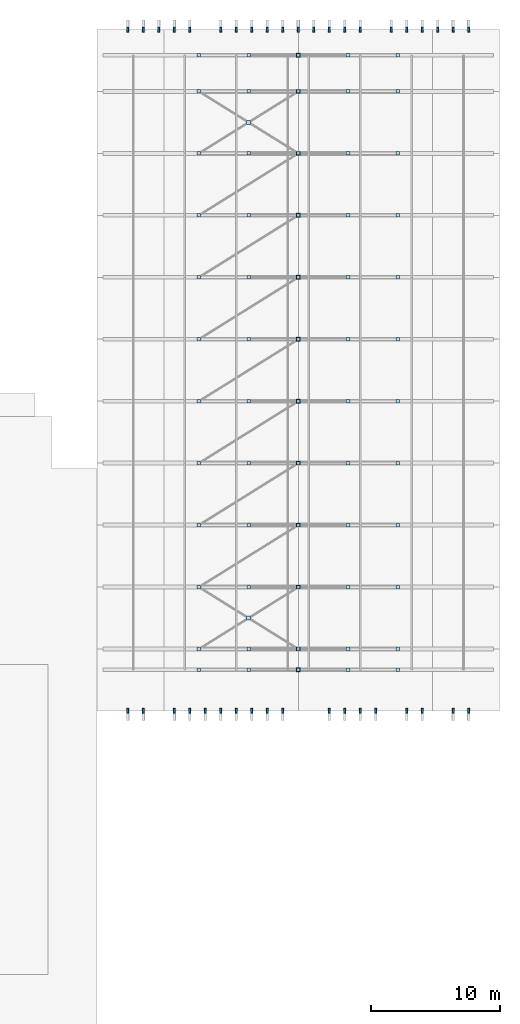
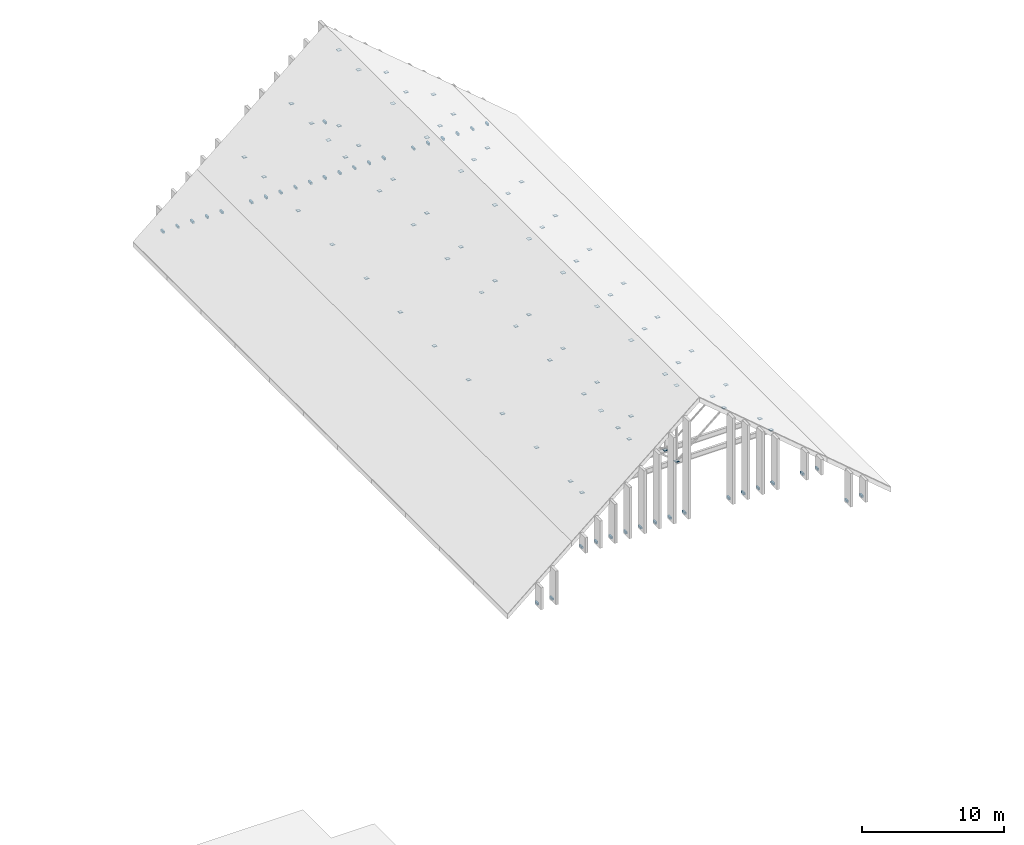
# One storey, part 57 of 60: 74 plates, 40 discrete accessories.
"""IFC4 building model written with IfcOpenShell, lengths in metres."""

from ifc_helpers import new_model, si_unit, direction, frame, origin, origin_2d, place, context, subcontext, project, spatial, rectangle, extrude, material, type_object, element, save


model = new_model("IFC4")

# Units and contexts
model_context = context("Model", 3, precision=1e-05, world=origin(), true_north=direction((0.0, 1.0)))
body_context = subcontext(model_context, "Body", "Model", "MODEL_VIEW")
ifc_project = project(units=[si_unit("LENGTHUNIT", "METRE"), si_unit("AREAUNIT", "SQUARE_METRE"), si_unit("VOLUMEUNIT", "CUBIC_METRE"), si_unit("PLANEANGLEUNIT", "RADIAN"), si_unit("MASSUNIT", "GRAM", prefix="KILO")], contexts=[model_context])

# Site, building, storey
site_placement = place(None, origin())
site = spatial("IfcSite", under=ifc_project, at=site_placement, CompositionType="ELEMENT")
building_placement = place(site_placement, origin())
building = spatial("IfcBuilding", under=site, at=building_placement, Name="Nakhvara Creek Congress Hotel", CompositionType="ELEMENT")
storey_placement = place(building_placement, frame((0.0, 0.0, 54.60009765625)))
storey = spatial("IfcBuildingStorey", under=building, at=storey_placement, Name="RL1", CompositionType="ELEMENT", Elevation=54.60009765625)

# Plates
ifc_material_1 = material(Name="Steel S355J2", Category="steel")
plate_type_1 = type_object("IfcPlateType", Name="PLT-NODE-280X280X18", PredefinedType="USERDEFINED", material=ifc_material_1)
for number, where, z_axis, x_axis, name in (
    (1, (164.39990234375, 76.39990234375, 1.5908203125), (0.0, 0.0, 1.0), (1.0, 0.0, 0.0), "Hotel Gable Truss Node Gusset Plate SN-01-CL"),
    (2, (160.55078125, 76.39990234375, 4.847900390625), (0.0, 0.0, 1.0), (1.0, 0.0, 0.0), "Hotel Gable Truss Node Gusset Plate SN-01-MW"),
    (3, (168.2490234375, 76.39990234375, 4.847900390625), (0.0, 0.0, 1.0), (1.0, 0.0, 0.0), "Hotel Gable Truss Node Gusset Plate SN-01-ME"),
    (4, (156.70166015625, 76.39990234375, 1.5908203125), (0.0, 0.0, 1.0), (1.0, 0.0, 0.0), "Hotel Gable Truss Node Gusset Plate SN-01-CW"),
    (5, (172.098388671875, 76.39990234375, 1.5908203125), (0.0, 0.0, 1.0), (1.0, 0.0, 0.0), "Hotel Gable Truss Node Gusset Plate SN-01-CE"),
    (6, (164.39990234375, 78.0, 1.5908203125), (0.0, 0.0, 1.0), (1.0, 0.0, 0.0), "Hotel Gable Truss Node Gusset Plate SN-02-CL"),
    (7, (160.55078125, 78.0, 4.847900390625), (0.0, 0.0, 1.0), (1.0, 0.0, 0.0), "Hotel Gable Truss Node Gusset Plate SN-02-MW"),
    (8, (168.2490234375, 78.0, 4.847900390625), (0.0, 0.0, 1.0), (1.0, 0.0, 0.0), "Hotel Gable Truss Node Gusset Plate SN-02-ME"),
    (9, (156.70166015625, 78.0, 1.5908203125), (0.0, 0.0, 1.0), (1.0, 0.0, 0.0), "Hotel Gable Truss Node Gusset Plate SN-02-CW"),
    (10, (172.098388671875, 78.0, 1.5908203125), (0.0, 0.0, 1.0), (1.0, 0.0, 0.0), "Hotel Gable Truss Node Gusset Plate SN-02-CE"),
    (11, (164.39990234375, 82.800048828125, 1.5908203125), (0.0, 0.0, 1.0), (1.0, 0.0, 0.0), "Hotel Gable Truss Node Gusset Plate SN-03-CL"),
    (12, (160.55078125, 82.800048828125, 4.847900390625), (0.0, 0.0, 1.0), (1.0, 0.0, 0.0), "Hotel Gable Truss Node Gusset Plate SN-03-MW"),
    (13, (168.2490234375, 82.800048828125, 4.847900390625), (0.0, 0.0, 1.0), (1.0, 0.0, 0.0), "Hotel Gable Truss Node Gusset Plate SN-03-ME"),
    (14, (156.70166015625, 82.800048828125, 1.5908203125), (0.0, 0.0, 1.0), (1.0, 0.0, 0.0), "Hotel Gable Truss Node Gusset Plate SN-03-CW"),
    (15, (172.098388671875, 82.800048828125, 1.5908203125), (0.0, 0.0, 1.0), (1.0, 0.0, 0.0), "Hotel Gable Truss Node Gusset Plate SN-03-CE"),
    (16, (164.39990234375, 87.60009765625, 1.5908203125), (0.0, 0.0, 1.0), (1.0, 0.0, 0.0), "Hotel Gable Truss Node Gusset Plate SN-04-CL"),
    (17, (160.55078125, 87.60009765625, 4.847900390625), (0.0, 0.0, 1.0), (1.0, 0.0, 0.0), "Hotel Gable Truss Node Gusset Plate SN-04-MW"),
    (18, (168.2490234375, 87.60009765625, 4.847900390625), (0.0, 0.0, 1.0), (1.0, 0.0, 0.0), "Hotel Gable Truss Node Gusset Plate SN-04-ME"),
    (19, (156.70166015625, 87.60009765625, 1.5908203125), (0.0, 0.0, 1.0), (1.0, 0.0, 0.0), "Hotel Gable Truss Node Gusset Plate SN-04-CW"),
    (20, (172.098388671875, 87.60009765625, 1.5908203125), (0.0, 0.0, 1.0), (1.0, 0.0, 0.0), "Hotel Gable Truss Node Gusset Plate SN-04-CE"),
    (21, (164.39990234375, 92.39990234375, 1.5908203125), (0.0, 0.0, 1.0), (1.0, 0.0, 0.0), "Hotel Gable Truss Node Gusset Plate SN-05-CL"),
    (22, (160.55078125, 92.39990234375, 4.847900390625), (0.0, 0.0, 1.0), (1.0, 0.0, 0.0), "Hotel Gable Truss Node Gusset Plate SN-05-MW"),
    (23, (168.2490234375, 92.39990234375, 4.847900390625), (0.0, 0.0, 1.0), (1.0, 0.0, 0.0), "Hotel Gable Truss Node Gusset Plate SN-05-ME"),
    (24, (156.70166015625, 92.39990234375, 1.5908203125), (0.0, 0.0, 1.0), (1.0, 0.0, 0.0), "Hotel Gable Truss Node Gusset Plate SN-05-CW"),
    (25, (172.098388671875, 92.39990234375, 1.5908203125), (0.0, 0.0, 1.0), (1.0, 0.0, 0.0), "Hotel Gable Truss Node Gusset Plate SN-05-CE"),
    (26, (164.39990234375, 97.199951171875, 1.5908203125), (0.0, 0.0, 1.0), (1.0, 0.0, 0.0), "Hotel Gable Truss Node Gusset Plate SN-06-CL"),
    (27, (160.55078125, 97.199951171875, 4.847900390625), (0.0, 0.0, 1.0), (1.0, 0.0, 0.0), "Hotel Gable Truss Node Gusset Plate SN-06-MW"),
    (28, (168.2490234375, 97.199951171875, 4.847900390625), (0.0, 0.0, 1.0), (1.0, 0.0, 0.0), "Hotel Gable Truss Node Gusset Plate SN-06-ME"),
    (29, (156.70166015625, 97.199951171875, 1.5908203125), (0.0, 0.0, 1.0), (1.0, 0.0, 0.0), "Hotel Gable Truss Node Gusset Plate SN-06-CW"),
    (30, (172.098388671875, 97.199951171875, 1.5908203125), (0.0, 0.0, 1.0), (1.0, 0.0, 0.0), "Hotel Gable Truss Node Gusset Plate SN-06-CE"),
    (31, (164.39990234375, 102.0, 1.5908203125), (0.0, 0.0, 1.0), (1.0, 0.0, 0.0), "Hotel Gable Truss Node Gusset Plate SN-07-CL"),
    (32, (160.55078125, 102.0, 4.847900390625), (0.0, 0.0, 1.0), (1.0, 0.0, 0.0), "Hotel Gable Truss Node Gusset Plate SN-07-MW"),
    (33, (168.2490234375, 102.0, 4.847900390625), (0.0, 0.0, 1.0), (1.0, 0.0, 0.0), "Hotel Gable Truss Node Gusset Plate SN-07-ME"),
    (34, (156.70166015625, 102.0, 1.5908203125), (0.0, 0.0, 1.0), (1.0, 0.0, 0.0), "Hotel Gable Truss Node Gusset Plate SN-07-CW"),
    (35, (172.098388671875, 102.0, 1.5908203125), (0.0, 0.0, 1.0), (1.0, 0.0, 0.0), "Hotel Gable Truss Node Gusset Plate SN-07-CE"),
    (36, (164.39990234375, 106.800048828125, 1.5908203125), (0.0, 0.0, 1.0), (1.0, 0.0, 0.0), "Hotel Gable Truss Node Gusset Plate SN-08-CL"),
    (37, (160.55078125, 106.800048828125, 4.847900390625), (0.0, 0.0, 1.0), (1.0, 0.0, 0.0), "Hotel Gable Truss Node Gusset Plate SN-08-MW"),
    (38, (168.2490234375, 106.800048828125, 4.847900390625), (0.0, 0.0, 1.0), (1.0, 0.0, 0.0), "Hotel Gable Truss Node Gusset Plate SN-08-ME"),
    (39, (156.70166015625, 106.800048828125, 1.5908203125), (0.0, 0.0, 1.0), (1.0, 0.0, 0.0), "Hotel Gable Truss Node Gusset Plate SN-08-CW"),
    (40, (172.098388671875, 106.800048828125, 1.5908203125), (0.0, 0.0, 1.0), (1.0, 0.0, 0.0), "Hotel Gable Truss Node Gusset Plate SN-08-CE"),
    (41, (164.39990234375, 111.60009765625, 1.5908203125), (0.0, 0.0, 1.0), (1.0, 0.0, 0.0), "Hotel Gable Truss Node Gusset Plate SN-09-CL"),
    (42, (160.55078125, 111.60009765625, 4.847900390625), (0.0, 0.0, 1.0), (1.0, 0.0, 0.0), "Hotel Gable Truss Node Gusset Plate SN-09-MW"),
    (43, (168.2490234375, 111.60009765625, 4.847900390625), (0.0, 0.0, 1.0), (1.0, 0.0, 0.0), "Hotel Gable Truss Node Gusset Plate SN-09-ME"),
    (44, (156.70166015625, 111.60009765625, 1.5908203125), (0.0, 0.0, 1.0), (1.0, 0.0, 0.0), "Hotel Gable Truss Node Gusset Plate SN-09-CW"),
    (45, (172.098388671875, 111.60009765625, 1.5908203125), (0.0, 0.0, 1.0), (1.0, 0.0, 0.0), "Hotel Gable Truss Node Gusset Plate SN-09-CE"),
    (46, (164.39990234375, 116.39990234375, 1.5908203125), (0.0, 0.0, 1.0), (1.0, 0.0, 0.0), "Hotel Gable Truss Node Gusset Plate SN-10-CL"),
    (47, (160.55078125, 116.39990234375, 4.847900390625), (0.0, 0.0, 1.0), (1.0, 0.0, 0.0), "Hotel Gable Truss Node Gusset Plate SN-10-MW"),
    (48, (168.2490234375, 116.39990234375, 4.847900390625), (0.0, 0.0, 1.0), (1.0, 0.0, 0.0), "Hotel Gable Truss Node Gusset Plate SN-10-ME"),
    (49, (156.70166015625, 116.39990234375, 1.5908203125), (0.0, 0.0, 1.0), (1.0, 0.0, 0.0), "Hotel Gable Truss Node Gusset Plate SN-10-CW"),
    (50, (172.098388671875, 116.39990234375, 1.5908203125), (0.0, 0.0, 1.0), (1.0, 0.0, 0.0), "Hotel Gable Truss Node Gusset Plate SN-10-CE"),
    (51, (164.39990234375, 121.199951171875, 1.5908203125), (0.0, 0.0, 1.0), (1.0, 0.0, 0.0), "Hotel Gable Truss Node Gusset Plate SN-11-CL"),
    (52, (160.55078125, 121.199951171875, 4.847900390625), (0.0, 0.0, 1.0), (1.0, 0.0, 0.0), "Hotel Gable Truss Node Gusset Plate SN-11-MW"),
    (53, (168.2490234375, 121.199951171875, 4.847900390625), (0.0, 0.0, 1.0), (1.0, 0.0, 0.0), "Hotel Gable Truss Node Gusset Plate SN-11-ME"),
    (54, (156.70166015625, 121.199951171875, 1.5908203125), (0.0, 0.0, 1.0), (1.0, 0.0, 0.0), "Hotel Gable Truss Node Gusset Plate SN-11-CW"),
    (55, (172.098388671875, 121.199951171875, 1.5908203125), (0.0, 0.0, 1.0), (1.0, 0.0, 0.0), "Hotel Gable Truss Node Gusset Plate SN-11-CE"),
    (56, (164.39990234375, 124.0, 1.5908203125), (0.0, 0.0, 1.0), (1.0, 0.0, 0.0), "Hotel Gable Truss Node Gusset Plate SN-12-CL"),
    (57, (160.55078125, 124.0, 4.847900390625), (0.0, 0.0, 1.0), (1.0, 0.0, 0.0), "Hotel Gable Truss Node Gusset Plate SN-12-MW"),
    (58, (168.2490234375, 124.0, 4.847900390625), (0.0, 0.0, 1.0), (1.0, 0.0, 0.0), "Hotel Gable Truss Node Gusset Plate SN-12-ME"),
    (59, (156.70166015625, 124.0, 1.5908203125), (0.0, 0.0, 1.0), (1.0, 0.0, 0.0), "Hotel Gable Truss Node Gusset Plate SN-12-CW"),
    (60, (172.098388671875, 124.0, 1.5908203125), (0.0, 0.0, 1.0), (1.0, 0.0, 0.0), "Hotel Gable Truss Node Gusset Plate SN-12-CE"),
):
    element("IfcPlate", number, at=place(storey_placement, frame(where, z_axis=z_axis, x_axis=x_axis)), inside=storey, type_object=plate_type_1, Name=name, ObjectType="GUSSET_PLATE", PredefinedType="USERDEFINED", context=body_context, shape_type="SweptSolid", body=[
        extrude(rectangle(XDim=0.280029296875, YDim=0.280029296875, at=origin_2d()), origin(), (0.0, 0.0, 1.0), 0.01806640625),
    ])
plate_type_2 = type_object("IfcPlateType", Name="PLT-NODE-320X320X20", PredefinedType="USERDEFINED", material=ifc_material_1)
for number, where, z_axis, x_axis, name in (
    (61, (164.39990234375, 76.39990234375, 8.103759765625), (0.0, 0.0, 1.0), (1.0, 0.0, 0.0), "Hotel Gable Truss Node Gusset Plate SN-01-PK"),
    (62, (164.39990234375, 78.0, 8.103759765625), (0.0, 0.0, 1.0), (1.0, 0.0, 0.0), "Hotel Gable Truss Node Gusset Plate SN-02-PK"),
    (63, (164.39990234375, 82.800048828125, 8.103759765625), (0.0, 0.0, 1.0), (1.0, 0.0, 0.0), "Hotel Gable Truss Node Gusset Plate SN-03-PK"),
    (64, (164.39990234375, 87.60009765625, 8.103759765625), (0.0, 0.0, 1.0), (1.0, 0.0, 0.0), "Hotel Gable Truss Node Gusset Plate SN-04-PK"),
    (65, (164.39990234375, 92.39990234375, 8.103759765625), (0.0, 0.0, 1.0), (1.0, 0.0, 0.0), "Hotel Gable Truss Node Gusset Plate SN-05-PK"),
    (66, (164.39990234375, 97.199951171875, 8.103759765625), (0.0, 0.0, 1.0), (1.0, 0.0, 0.0), "Hotel Gable Truss Node Gusset Plate SN-06-PK"),
    (67, (164.39990234375, 102.0, 8.103759765625), (0.0, 0.0, 1.0), (1.0, 0.0, 0.0), "Hotel Gable Truss Node Gusset Plate SN-07-PK"),
    (68, (164.39990234375, 106.800048828125, 8.103759765625), (0.0, 0.0, 1.0), (1.0, 0.0, 0.0), "Hotel Gable Truss Node Gusset Plate SN-08-PK"),
    (69, (164.39990234375, 111.60009765625, 8.103759765625), (0.0, 0.0, 1.0), (1.0, 0.0, 0.0), "Hotel Gable Truss Node Gusset Plate SN-09-PK"),
    (70, (164.39990234375, 116.39990234375, 8.103759765625), (0.0, 0.0, 1.0), (1.0, 0.0, 0.0), "Hotel Gable Truss Node Gusset Plate SN-10-PK"),
    (71, (164.39990234375, 121.199951171875, 8.103759765625), (0.0, 0.0, 1.0), (1.0, 0.0, 0.0), "Hotel Gable Truss Node Gusset Plate SN-11-PK"),
    (72, (164.39990234375, 124.0, 8.103759765625), (0.0, 0.0, 1.0), (1.0, 0.0, 0.0), "Hotel Gable Truss Node Gusset Plate SN-12-PK"),
    (73, (160.55078125, 80.39990234375, 4.846923828125), (0.0, 0.0, 1.0), (1.0, 0.0, 0.0), "X-Brace Crossing Node Gusset Plate SN07-02"),
    (74, (160.55078125, 118.800048828125, 4.846923828125), (0.0, 0.0, 1.0), (1.0, 0.0, 0.0), "X-Brace Crossing Node Gusset Plate SN07-10"),
):
    element("IfcPlate", number, at=place(storey_placement, frame(where, z_axis=z_axis, x_axis=x_axis)), inside=storey, type_object=plate_type_2, Name=name, ObjectType="GUSSET_PLATE", PredefinedType="USERDEFINED", context=body_context, shape_type="SweptSolid", body=[
        extrude(rectangle(XDim=0.320068359375, YDim=0.320068359375, at=origin_2d()), origin(), (0.0, 0.0, 1.0), 0.02001953125),
    ])

# Discrete accessories
ifc_material_2 = material(Name="Brushed stainless steel 316L", Category="steel")
discrete_accessory_type = type_object("IfcDiscreteAccessoryType", Name="ACC-BRK-SS316", PredefinedType="BRACKET", material=ifc_material_2)
for number, where, z_axis, x_axis, name in (
    (75, (151.199951171875, 73.219970703125, -4.14990234375), (0.0, 0.0, 1.0), (1.0, 0.0, 0.0), "Stainless Fin Bracket BK01-0002"),
    (76, (152.39990234375, 73.219970703125, -4.14990234375), (0.0, 0.0, 1.0), (1.0, 0.0, 0.0), "Stainless Fin Bracket BK01-0003"),
    (77, (154.800048828125, 73.219970703125, -0.55029296875), (0.0, 0.0, 1.0), (1.0, 0.0, 0.0), "Stainless Fin Bracket BK01-0004"),
    (78, (156.0, 73.219970703125, -0.55029296875), (0.0, 0.0, 1.0), (1.0, 0.0, 0.0), "Stainless Fin Bracket BK01-0005"),
    (79, (157.199951171875, 73.219970703125, -0.55029296875), (0.0, 0.0, 1.0), (1.0, 0.0, 0.0), "Stainless Fin Bracket BK01-0006"),
    (80, (158.39990234375, 73.219970703125, -0.55029296875), (0.0, 0.0, 1.0), (1.0, 0.0, 0.0), "Stainless Fin Bracket BK01-0007"),
    (81, (159.60009765625, 73.219970703125, -0.55029296875), (0.0, 0.0, 1.0), (1.0, 0.0, 0.0), "Stainless Fin Bracket BK01-0008"),
    (82, (160.800048828125, 73.219970703125, -0.55029296875), (0.0, 0.0, 1.0), (1.0, 0.0, 0.0), "Stainless Fin Bracket BK01-0009"),
    (83, (162.0, 73.219970703125, -0.55029296875), (0.0, 0.0, 1.0), (1.0, 0.0, 0.0), "Stainless Fin Bracket BK01-0010"),
    (84, (163.199951171875, 73.219970703125, -0.55029296875), (0.0, 0.0, 1.0), (1.0, 0.0, 0.0), "Stainless Fin Bracket BK01-0011"),
    (85, (166.800048828125, 73.219970703125, -0.55029296875), (0.0, 0.0, 1.0), (1.0, 0.0, 0.0), "Stainless Fin Bracket BK01-0012"),
    (86, (168.0, 73.219970703125, -0.55029296875), (0.0, 0.0, 1.0), (1.0, 0.0, 0.0), "Stainless Fin Bracket BK01-0013"),
    (87, (169.199951171875, 73.219970703125, -0.55029296875), (0.0, 0.0, 1.0), (1.0, 0.0, 0.0), "Stainless Fin Bracket BK01-0014"),
    (88, (170.39990234375, 73.219970703125, -0.55029296875), (0.0, 0.0, 1.0), (1.0, 0.0, 0.0), "Stainless Fin Bracket BK01-0015"),
    (89, (172.800048828125, 73.219970703125, -0.55029296875), (0.0, 0.0, 1.0), (1.0, 0.0, 0.0), "Stainless Fin Bracket BK01-0016"),
    (90, (174.0, 73.219970703125, -0.55029296875), (0.0, 0.0, 1.0), (1.0, 0.0, 0.0), "Stainless Fin Bracket BK01-0017"),
    (91, (176.39990234375, 73.219970703125, -4.14990234375), (0.0, 0.0, 1.0), (1.0, 0.0, 0.0), "Stainless Fin Bracket BK01-0018"),
    (92, (177.60009765625, 73.219970703125, -4.14990234375), (0.0, 0.0, 1.0), (1.0, 0.0, 0.0), "Stainless Fin Bracket BK01-0019"),
    (93, (151.199951171875, 125.97998046875, -4.14990234375), (0.0, 0.0, 1.0), (1.0, 0.0, 0.0), "Stainless Fin Bracket BK01-0020"),
    (94, (152.39990234375, 125.97998046875, -4.14990234375), (0.0, 0.0, 1.0), (1.0, 0.0, 0.0), "Stainless Fin Bracket BK01-0021"),
    (95, (153.60009765625, 125.97998046875, -4.14990234375), (0.0, 0.0, 1.0), (1.0, 0.0, 0.0), "Stainless Fin Bracket BK01-0022"),
    (96, (154.800048828125, 125.97998046875, -4.14990234375), (0.0, 0.0, 1.0), (1.0, 0.0, 0.0), "Stainless Fin Bracket BK01-0023"),
    (97, (156.0, 125.97998046875, -4.14990234375), (0.0, 0.0, 1.0), (1.0, 0.0, 0.0), "Stainless Fin Bracket BK01-0024"),
    (98, (158.39990234375, 125.97998046875, -4.14990234375), (0.0, 0.0, 1.0), (1.0, 0.0, 0.0), "Stainless Fin Bracket BK01-0025"),
    (99, (159.60009765625, 125.97998046875, -4.14990234375), (0.0, 0.0, 1.0), (1.0, 0.0, 0.0), "Stainless Fin Bracket BK01-0026"),
    (100, (160.800048828125, 125.97998046875, -4.14990234375), (0.0, 0.0, 1.0), (1.0, 0.0, 0.0), "Stainless Fin Bracket BK01-0027"),
    (101, (162.0, 125.97998046875, -4.14990234375), (0.0, 0.0, 1.0), (1.0, 0.0, 0.0), "Stainless Fin Bracket BK01-0028"),
    (102, (163.199951171875, 125.97998046875, -4.14990234375), (0.0, 0.0, 1.0), (1.0, 0.0, 0.0), "Stainless Fin Bracket BK01-0029"),
    (103, (164.39990234375, 125.97998046875, -4.14990234375), (0.0, 0.0, 1.0), (1.0, 0.0, 0.0), "Stainless Fin Bracket BK01-0030"),
    (104, (165.60009765625, 125.97998046875, -4.14990234375), (0.0, 0.0, 1.0), (1.0, 0.0, 0.0), "Stainless Fin Bracket BK01-0031"),
    (105, (166.800048828125, 125.97998046875, -4.14990234375), (0.0, 0.0, 1.0), (1.0, 0.0, 0.0), "Stainless Fin Bracket BK01-0032"),
    (106, (168.0, 125.97998046875, -4.14990234375), (0.0, 0.0, 1.0), (1.0, 0.0, 0.0), "Stainless Fin Bracket BK01-0033"),
    (107, (169.199951171875, 125.97998046875, -4.14990234375), (0.0, 0.0, 1.0), (1.0, 0.0, 0.0), "Stainless Fin Bracket BK01-0034"),
    (108, (171.60009765625, 125.97998046875, -4.14990234375), (0.0, 0.0, 1.0), (1.0, 0.0, 0.0), "Stainless Fin Bracket BK01-0035"),
    (109, (172.800048828125, 125.97998046875, -4.14990234375), (0.0, 0.0, 1.0), (1.0, 0.0, 0.0), "Stainless Fin Bracket BK01-0036"),
    (110, (174.0, 125.97998046875, -4.14990234375), (0.0, 0.0, 1.0), (1.0, 0.0, 0.0), "Stainless Fin Bracket BK01-0037"),
    (111, (175.199951171875, 125.97998046875, -4.14990234375), (0.0, 0.0, 1.0), (1.0, 0.0, 0.0), "Stainless Fin Bracket BK01-0038"),
    (112, (176.39990234375, 125.97998046875, -4.14990234375), (0.0, 0.0, 1.0), (1.0, 0.0, 0.0), "Stainless Fin Bracket BK01-0039"),
    (113, (177.60009765625, 125.97998046875, -4.14990234375), (0.0, 0.0, 1.0), (1.0, 0.0, 0.0), "Stainless Fin Bracket BK01-0040"),
    (114, (164.39990234375, 125.97998046875, 0.6298828125), (0.0, 0.0, 1.0), (1.0, 0.0, 0.0), "Stainless Fin Bracket BK01-0041"),
):
    element("IfcDiscreteAccessory", number, at=place(storey_placement, frame(where, z_axis=z_axis, x_axis=x_axis)), inside=storey, type_object=discrete_accessory_type, Name=name, PredefinedType="BRACKET", context=body_context, shape_type="SweptSolid", body=[
        extrude(rectangle(XDim=0.139892578125, YDim=0.360107421875, at=origin_2d()), origin(), (0.0, 0.0, 1.0), 0.179931640625),
    ])

save(model, "model.ifc")
